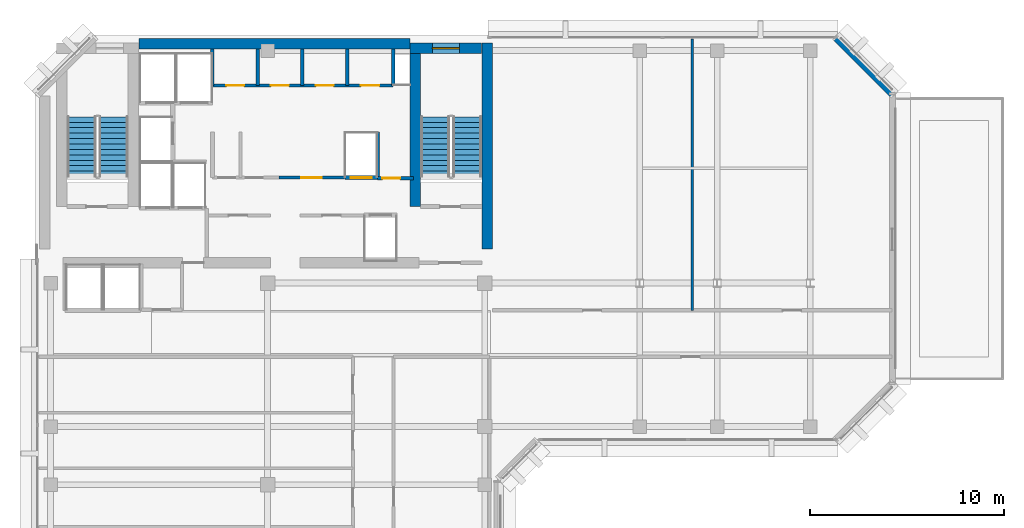
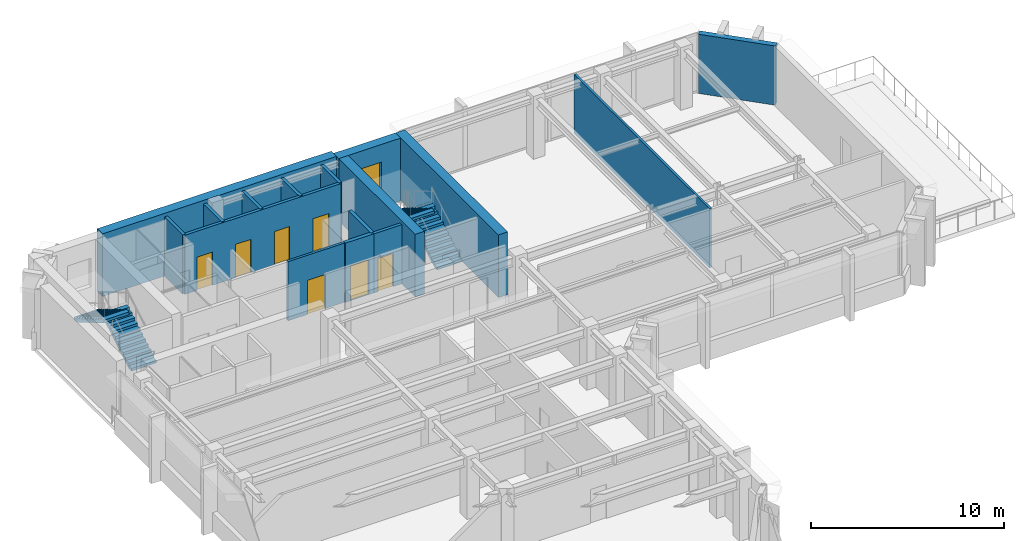
# One storey, part 7 of 11: 16 walls, 7 doors, 4 stair flights, 1 window, 8 openings, 2 elements without a shape of their own.
"""IFC4 building model written with IfcOpenShell, lengths in metres."""

from ifc_helpers import new_model, si_unit, direction, frame, frame_2d, origin, place, context, subcontext, project, spatial, polyline, rectangle, outline, extrude, material, layer, layer_set, type_object, element, fill, aggregate, save


model = new_model("IFC4")

# Units and contexts
model_context = context("Model", 3, precision=1e-05, world=origin(), true_north=direction((0.0, 1.0)))
body_context = subcontext(model_context, "Body", "Model", "MODEL_VIEW")
ifc_project = project(units=[si_unit("LENGTHUNIT", "METRE"), si_unit("AREAUNIT", "SQUARE_METRE"), si_unit("VOLUMEUNIT", "CUBIC_METRE"), si_unit("PLANEANGLEUNIT", "RADIAN"), si_unit("MASSUNIT", "GRAM", prefix="KILO")], contexts=[model_context])

# Site, building, storey
site_placement = place(None, origin())
site = spatial("IfcSite", under=ifc_project, at=site_placement, CompositionType="ELEMENT")
building_placement = place(site_placement, origin())
building = spatial("IfcBuilding", under=site, at=building_placement, Name="Kefirva Bronze Tower", CompositionType="ELEMENT")
storey_placement = place(building_placement, frame((0.0, 0.0, 272.25)))
storey = spatial("IfcBuildingStorey", under=building, at=storey_placement, Name="L66", CompositionType="ELEMENT", Elevation=272.25)

# Wall
ifc_material_1 = material(Name="Gypsum acoustic partition")
ifc_layer_1 = layer(ifc_material_1, 0.1298828125, Name="Gypsum acoustic partition")
ifc_layer_set_1 = layer_set([ifc_layer_1], Name="Gypsum acoustic partition")
wall_type_1 = type_object("IfcWallType", Name="Acoustic Office Partition 130mm", PredefinedType="PARTITIONING", material=ifc_layer_set_1)
wall_1_placement = place(storey_placement, frame((33.905029296875, 31.800048828125, 0.0), z_axis=(0.0, 0.0, 1.0), x_axis=(0.0, 1.0, 0.0)))
element("IfcWall", 1, at=wall_1_placement, inside=storey, type_object=wall_type_1, Name="L66 Partition W-L66-END1", PredefinedType="PARTITIONING", context=body_context, shape_type="SweptSolid", body=[
    extrude(rectangle(XDim=14.010009765625, YDim=0.1298828125, at=frame_2d((7.0048828125, 0.0))), origin(), (0.0, 0.0, 1.0), 3.739990234375),
])

# Wall, opening, door
ifc_layer_2 = layer(ifc_material_1, 0.14990234375, Name="Gypsum acoustic partition")
ifc_layer_set_2 = layer_set([ifc_layer_2], Name="Gypsum acoustic partition")
wall_type_2 = type_object("IfcWallType", Name="Executive Suite Partition 150mm", PredefinedType="PARTITIONING", material=ifc_layer_set_2)
wall_2_placement = place(storey_placement, frame((12.580078125, 38.64990234375, 0.0), z_axis=(0.0, 0.0, 1.0), x_axis=(1.0, 0.0, 0.0)))
wall_2 = element("IfcWall", 2, at=wall_2_placement, inside=storey, type_object=wall_type_2, Name="L66 Partition W-L66-RECMP2", PredefinedType="PARTITIONING", context=body_context, shape_type="SweptSolid", body=[
    extrude(rectangle(XDim=3.3798828125, YDim=0.14990234375, at=frame_2d((1.68994140625, 0.0))), origin(), (0.0, 0.0, 1.0), 3.739990234375),
])
opening_1_placement = place(wall_2_placement, frame((2.199951171875, 0.0, 0.0), z_axis=(0.0, 0.0, 1.0), x_axis=(-1.0, 0.0, 0.0)))
opening_1 = element("IfcOpeningElement", 3, at=opening_1_placement, cuts=wall_2, Name="Opening L66-D-RECMP2", PredefinedType="OPENING", context=body_context, shape_type="SweptSolid", body=[
    extrude(rectangle(XDim=1.050048828125, YDim=2.14990234375, at=frame_2d((0.52490234375, 1.074951171875))), frame((0.0, 0.0849609375, 0.0), z_axis=(0.0, -1.0, 0.0), x_axis=(1.0, 0.0, 0.0)), (0.0, 0.0, 1.0), 0.169921875),
])
ifc_material_2 = material(Name="Acoustic hardwood oak", Category="wood")
door_type_1 = type_object("IfcDoorType", Name="Executive & Boardroom Door 1050x2150", OperationType="NOTDEFINED", PredefinedType="DOOR", material=ifc_material_2)
door_1_placement = place(opening_1_placement, origin())
door_1 = element("IfcDoor", 4, at=door_1_placement, inside=storey, type_object=door_type_1, Name="Door L66-D-RECMP2", OperationType="SINGLE_SWING_RIGHT", OverallHeight=2.14990234375, OverallWidth=1.050048828125, PredefinedType="DOOR", context=body_context, shape_type="SweptSolid", body=[
    extrude(rectangle(XDim=1.050048828125, YDim=2.14990234375, at=frame_2d((0.52490234375, 1.074951171875))), frame((0.0, 0.02490234375, 0.0), z_axis=(0.0, -1.0, 0.0), x_axis=(1.0, 0.0, 0.0)), (0.0, 0.0, 1.0), 0.050048828125),
])
fill(opening_1, door_1)

# Wall
ifc_material_3 = material(Name="Gypsum fireboard shaftwall")
ifc_layer_3 = layer(ifc_material_3, 0.219970703125, Name="Gypsum fireboard shaftwall")
ifc_layer_set_3 = layer_set([ifc_layer_3], Name="Gypsum fireboard shaftwall")
wall_type_3 = type_object("IfcWallType", Name="Fire-Rated Shaft Enclosure Wall 220mm", PredefinedType="PARTITIONING", material=ifc_layer_set_3)
wall_3_placement = place(storey_placement, frame((17.679931640625, 38.64990234375, 0.0), z_axis=(0.0, 0.0, 1.0), x_axis=(0.0, 1.0, 0.0)))
element("IfcWall", 5, at=wall_3_placement, inside=storey, type_object=wall_type_3, Name="L66 Partition W-L66-HP2E", PredefinedType="PARTITIONING", context=body_context, shape_type="SweptSolid", body=[
    extrude(rectangle(XDim=2.35009765625, YDim=0.199951171875, at=frame_2d((1.175048828125, 0.0))), origin(), (0.0, 0.0, 1.0), 3.739990234375),
])

# Wall, opening, door
wall_4_placement = place(storey_placement, frame((15.97998046875, 38.64990234375, 0.0), z_axis=(0.0, 0.0, 1.0), x_axis=(1.0, 0.0, 0.0)))
wall_4 = element("IfcWall", 6, at=wall_4_placement, inside=storey, type_object=wall_type_3, Name="L66 Partition W-L66-HPN", PredefinedType="PARTITIONING", context=body_context, shape_type="SweptSolid", body=[
    extrude(rectangle(XDim=1.719970703125, YDim=0.219970703125, at=frame_2d((0.85986328125, 0.0))), origin(), (0.0, 0.0, 1.0), 3.739990234375),
])
opening_2_placement = place(wall_4_placement, frame((0.300048828125, 0.0, 0.0)))
opening_2 = element("IfcOpeningElement", 7, at=opening_2_placement, cuts=wall_4, Name="Opening L66-LD-HP2", PredefinedType="OPENING", context=body_context, shape_type="SweptSolid", body=[
    extrude(rectangle(XDim=1.10009765625, YDim=2.199951171875, at=frame_2d((0.550048828125, 1.10009765625))), frame((0.0, 0.1201171875, 0.0), z_axis=(0.0, -1.0, 0.0), x_axis=(1.0, 0.0, 0.0)), (0.0, 0.0, 1.0), 0.239990234375),
])
ifc_material_4 = material(Name="Stainless steel 316", Category="steel")
door_type_2 = type_object("IfcDoorType", Name="Passenger Lift Sliding Landing Door 1100x2200", OperationType="SLIDING_TO_LEFT", PredefinedType="DOOR", material=ifc_material_4)
door_2_placement = place(opening_2_placement, origin())
door_2 = element("IfcDoor", 8, at=door_2_placement, inside=storey, type_object=door_type_2, Name="Door L66-LD-HP2", OperationType="SLIDING_TO_LEFT", OverallHeight=2.199951171875, OverallWidth=1.10009765625, PredefinedType="DOOR", context=body_context, shape_type="SweptSolid", body=[
    extrude(rectangle(XDim=1.10009765625, YDim=2.199951171875, at=frame_2d((0.550048828125, 1.10009765625))), frame((0.0, 0.02490234375, 0.0), z_axis=(0.0, -1.0, 0.0), x_axis=(1.0, 0.0, 0.0)), (0.0, 0.0, 1.0), 0.050048828125),
])
fill(opening_2, door_2)

ifc_material_5 = material(Name="Gypsum fireboard barrier")
ifc_layer_4 = layer(ifc_material_5, 0.199951171875, Name="Gypsum fireboard barrier")
ifc_layer_set_4 = layer_set([ifc_layer_4], Name="Gypsum fireboard barrier")
wall_type_4 = type_object("IfcWallType", Name="Firefighting Lobby Barrier Wall 200mm", PredefinedType="PARTITIONING", material=ifc_layer_set_4)
wall_5_placement = place(storey_placement, frame((17.679931640625, 38.6201171875, 0.0), z_axis=(0.0, 0.0, 1.0), x_axis=(1.0, 0.0, 0.0)))
wall_5 = element("IfcWall", 9, at=wall_5_placement, inside=storey, type_object=wall_type_4, Name="L66 Partition W-L66-CPASS", PredefinedType="PARTITIONING", context=body_context, shape_type="SweptSolid", body=[
    extrude(rectangle(XDim=1.840087890625, YDim=0.179931640625, at=frame_2d((0.919921875, 0.0))), origin(), (0.0, 0.0, 1.0), 3.739990234375),
])
opening_3_placement = place(wall_5_placement, frame((0.239990234375, 0.0, 0.0)))
opening_3 = element("IfcOpeningElement", 10, at=opening_3_placement, cuts=wall_5, Name="Opening L66-D-CPAS", PredefinedType="OPENING", context=body_context, shape_type="SweptSolid", body=[
    extrude(rectangle(XDim=0.919921875, YDim=2.10009765625, at=frame_2d((0.4599609375, 1.050048828125))), frame((0.0, 0.10009765625, 0.0), z_axis=(0.0, -1.0, 0.0), x_axis=(1.0, 0.0, 0.0)), (0.0, 0.0, 1.0), 0.199951171875),
])
ifc_material_6 = material(Name="Moisture-resistant timber", Category="wood")
door_type_3 = type_object("IfcDoorType", Name="Accessible Sanitary & WC Door 920x2100", OperationType="NOTDEFINED", PredefinedType="DOOR", material=ifc_material_6)
door_3_placement = place(opening_3_placement, origin())
door_3 = element("IfcDoor", 11, at=door_3_placement, inside=storey, type_object=door_type_3, Name="Door L66-D-CPAS", OperationType="SINGLE_SWING_RIGHT", OverallHeight=2.10009765625, OverallWidth=0.919921875, PredefinedType="DOOR", context=body_context, shape_type="SweptSolid", body=[
    extrude(rectangle(XDim=0.919921875, YDim=2.10009765625, at=frame_2d((0.4599609375, 1.050048828125))), frame((0.0, 0.02490234375, 0.0), z_axis=(0.0, -1.0, 0.0), x_axis=(1.0, 0.0, 0.0)), (0.0, 0.0, 1.0), 0.050048828125),
])
fill(opening_3, door_3)

# Walls
ifc_material_7 = material(Name="Precast concrete C40/50", Category="concrete")
ifc_layer_5 = layer(ifc_material_7, 0.320068359375, Name="Precast concrete C40/50")
ifc_layer_set_5 = layer_set([ifc_layer_5], Name="Precast concrete C40/50")
wall_type_5 = type_object("IfcWallType", Name="Precast Insulated Exterior Wall 320mm", PredefinedType="SOLIDWALL", material=ifc_layer_set_5)
wall_6_placement = place(storey_placement, frame((44.248046875, 42.92578125, 0.0), z_axis=(0.0, 0.0, 1.0), x_axis=(-0.707136318428, 0.707077242712, 0.0)))
element("IfcWall", 12, at=wall_6_placement, inside=storey, type_object=wall_type_5, Name="L66 Exterior Facade Wall 6", PredefinedType="SOLIDWALL", context=body_context, shape_type="SweptSolid", body=[
    extrude(rectangle(XDim=4.132568359375, YDim=0.320068359375, at=frame_2d((2.06640625, 0.0))), origin(), (0.0, 0.0, 1.0), 3.739990234375),
])
ifc_material_8 = material(Name="Concrete C50/60", Category="concrete")
ifc_layer_6 = layer(ifc_material_8, 0.550048828125, Name="Concrete C50/60")
ifc_layer_set_6 = layer_set([ifc_layer_6], Name="Concrete C50/60")
wall_type_6 = type_object("IfcWallType", Name="RC Rear Core Exterior Wall 550mm", PredefinedType="SHEAR", material=ifc_layer_set_6)
wall_7_placement = place(storey_placement, frame((5.360107421875, 45.550048828125, 0.0), z_axis=(0.0, 0.0, 1.0), x_axis=(1.0, 0.0, 0.0)))
element("IfcWall", 13, at=wall_7_placement, inside=storey, type_object=wall_type_6, Name="L66 Rear Core North Shear Wall", PredefinedType="SHEAR", context=body_context, shape_type="SweptSolid", body=[
    extrude(rectangle(XDim=13.97998046875, YDim=0.550048828125, at=frame_2d((6.989990234375, 0.0))), origin(), (0.0, 0.0, 1.0), 3.9599609375),
])

# Wall, opening, window
wall_8_placement = place(storey_placement, frame((19.35009765625, 45.320068359375, 0.0), z_axis=(0.0, 0.0, 1.0), x_axis=(1.0, 0.0, 0.0)))
wall_8 = element("IfcWall", 14, at=wall_8_placement, inside=storey, type_object=wall_type_6, Name="L66 Stair 2 North Shear Wall", PredefinedType="SHEAR", context=body_context, shape_type="SweptSolid", body=[
    extrude(rectangle(XDim=3.68994140625, YDim=0.550048828125, at=frame_2d((1.844970703125, 0.0))), origin(), (0.0, 0.0, 1.0), 3.9599609375),
])
opening_4_placement = place(wall_8_placement, frame((1.14990234375, 0.0, 1.050048828125)))
opening_4 = element("IfcOpeningElement", 15, at=opening_4_placement, cuts=wall_8, Name="Opening WN-03", PredefinedType="OPENING", context=body_context, shape_type="SweptSolid", body=[
    extrude(rectangle(XDim=1.39990234375, YDim=1.800048828125, at=frame_2d((0.699951171875, 0.89990234375))), frame((0.0, 0.28515625, 0.0), z_axis=(0.0, -1.0, 0.0), x_axis=(1.0, 0.0, 0.0)), (0.0, 0.0, 1.0), 0.570068359375),
])
ifc_material_9 = material(Name="Laminated low-E double glazing", Category="glass")
window_type = type_object("IfcWindowType", Name="Rear-Core Stair Daylight Window 1400x1800", PartitioningType="SINGLE_PANEL", PredefinedType="WINDOW", material=ifc_material_9)
window_placement = place(opening_4_placement, origin())
window = element("IfcWindow", 16, at=window_placement, inside=storey, type_object=window_type, Name="L66 Stair 2 Daylight Window", OverallHeight=1.800048828125, OverallWidth=1.39990234375, PartitioningType="SINGLE_PANEL", PredefinedType="WINDOW", context=body_context, shape_type="SweptSolid", body=[
    extrude(rectangle(XDim=1.39990234375, YDim=1.800048828125, at=frame_2d((0.699951171875, 0.89990234375))), frame((0.0, 0.030029296875, 0.0), z_axis=(0.0, -1.0, 0.0), x_axis=(1.0, 0.0, 0.0)), (0.0, 0.0, 1.0), 0.06005859375),
])
fill(opening_4, window)

# Walls
ifc_layer_7 = layer(ifc_material_8, 0.550048828125, Name="Concrete C50/60")
ifc_layer_set_7 = layer_set([ifc_layer_7], Name="Concrete C50/60")
wall_type_7 = type_object("IfcWallType", Name="RC Rear Core Interior Wall 550mm", PredefinedType="SHEAR", material=ifc_layer_set_7)
wall_9_placement = place(storey_placement, frame((23.324951171875, 34.949951171875, 0.0), z_axis=(0.0, 0.0, 1.0), x_axis=(0.0, 1.0, 0.0)))
element("IfcWall", 17, at=wall_9_placement, inside=storey, type_object=wall_type_7, Name="L66 Rear Core East Shear Wall", PredefinedType="SHEAR", context=body_context, shape_type="SweptSolid", body=[
    extrude(rectangle(XDim=10.64013671875, YDim=0.550048828125, at=frame_2d((5.320068359375, 0.0))), origin(), (0.0, 0.0, 1.0), 3.9599609375),
])
wall_10_placement = place(storey_placement, frame((19.6201171875, 37.14990234375, 0.0), z_axis=(0.0, 0.0, 1.0), x_axis=(0.0, 1.0, 0.0)))
element("IfcWall", 18, at=wall_10_placement, inside=storey, type_object=wall_type_7, Name="L66 Stair 2 West Shear Wall", PredefinedType="SHEAR", context=body_context, shape_type="SweptSolid", body=[
    extrude(rectangle(XDim=7.89013671875, YDim=0.550048828125, at=frame_2d((3.945068359375, 0.0))), origin(), (0.0, 0.0, 1.0), 3.9599609375),
])

# Wall, openings, doors
ifc_material_10 = material(Name="Moisture-resistant partition")
ifc_layer_8 = layer(ifc_material_10, 0.179931640625, Name="Moisture-resistant partition")
ifc_layer_set_8 = layer_set([ifc_layer_8], Name="Moisture-resistant partition")
wall_type_8 = type_object("IfcWallType", Name="Sanitary Plumbing Chase Wall 180mm", PredefinedType="PLUMBINGWALL", material=ifc_layer_set_8)
wall_11_placement = place(storey_placement, frame((9.14990234375, 43.39990234375, 0.0), z_axis=(0.0, 0.0, 1.0), x_axis=(1.0, 0.0, 0.0)))
wall_11 = element("IfcWall", 19, at=wall_11_placement, inside=storey, type_object=wall_type_8, Name="L66 Partition W-L66-SVCS", PredefinedType="PLUMBINGWALL", context=body_context, shape_type="SweptSolid", body=[
    extrude(rectangle(XDim=9.330078125, YDim=0.179931640625, at=frame_2d((4.6650390625, 0.0))), origin(), (0.0, 0.0, 1.0), 3.739990234375),
])
opening_5_placement = place(wall_11_placement, frame((0.719970703125, 0.0, 0.0)))
opening_5 = element("IfcOpeningElement", 20, at=opening_5_placement, cuts=wall_11, Name="Opening L66-D-CSVC1", PredefinedType="OPENING", context=body_context, shape_type="SweptSolid", body=[
    extrude(rectangle(XDim=0.919921875, YDim=2.10009765625, at=frame_2d((0.4599609375, 1.050048828125))), frame((0.0, 0.10009765625, 0.0), z_axis=(0.0, -1.0, 0.0), x_axis=(1.0, 0.0, 0.0)), (0.0, 0.0, 1.0), 0.199951171875),
])
opening_6_placement = place(wall_11_placement, frame((3.02001953125, 0.0, 0.0)))
opening_6 = element("IfcOpeningElement", 21, at=opening_6_placement, cuts=wall_11, Name="Opening L66-D-CSVC2", PredefinedType="OPENING", context=body_context, shape_type="SweptSolid", body=[
    extrude(rectangle(XDim=0.919921875, YDim=2.10009765625, at=frame_2d((0.4599609375, 1.050048828125))), frame((0.0, 0.10009765625, 0.0), z_axis=(0.0, -1.0, 0.0), x_axis=(1.0, 0.0, 0.0)), (0.0, 0.0, 1.0), 0.199951171875),
])
opening_7_placement = place(wall_11_placement, frame((5.340087890625, 0.0, 0.0)))
opening_7 = element("IfcOpeningElement", 22, at=opening_7_placement, cuts=wall_11, Name="Opening L66-D-CSVC3", PredefinedType="OPENING", context=body_context, shape_type="SweptSolid", body=[
    extrude(rectangle(XDim=0.919921875, YDim=2.10009765625, at=frame_2d((0.4599609375, 1.050048828125))), frame((0.0, 0.10009765625, 0.0), z_axis=(0.0, -1.0, 0.0), x_axis=(1.0, 0.0, 0.0)), (0.0, 0.0, 1.0), 0.199951171875),
])
opening_8_placement = place(wall_11_placement, frame((7.659912109375, 0.0, 0.0)))
opening_8 = element("IfcOpeningElement", 23, at=opening_8_placement, cuts=wall_11, Name="Opening L66-D-CSVC4", PredefinedType="OPENING", context=body_context, shape_type="SweptSolid", body=[
    extrude(rectangle(XDim=0.949951171875, YDim=2.10009765625, at=frame_2d((0.47509765625, 1.050048828125))), frame((0.0, 0.10009765625, 0.0), z_axis=(0.0, -1.0, 0.0), x_axis=(1.0, 0.0, 0.0)), (0.0, 0.0, 1.0), 0.199951171875),
])
door_4_placement = place(opening_5_placement, origin())
door_4 = element("IfcDoor", 24, at=door_4_placement, inside=storey, type_object=door_type_3, Name="Door L66-D-CSVC1", OperationType="SINGLE_SWING_LEFT", OverallHeight=2.10009765625, OverallWidth=0.919921875, PredefinedType="DOOR", context=body_context, shape_type="SweptSolid", body=[
    extrude(rectangle(XDim=0.919921875, YDim=2.10009765625, at=frame_2d((0.4599609375, 1.050048828125))), frame((0.0, 0.02490234375, 0.0), z_axis=(0.0, -1.0, 0.0), x_axis=(1.0, 0.0, 0.0)), (0.0, 0.0, 1.0), 0.050048828125),
])
fill(opening_5, door_4)
door_5_placement = place(opening_6_placement, origin())
door_5 = element("IfcDoor", 25, at=door_5_placement, inside=storey, type_object=door_type_3, Name="Door L66-D-CSVC2", OperationType="SINGLE_SWING_RIGHT", OverallHeight=2.10009765625, OverallWidth=0.919921875, PredefinedType="DOOR", context=body_context, shape_type="SweptSolid", body=[
    extrude(rectangle(XDim=0.919921875, YDim=2.10009765625, at=frame_2d((0.4599609375, 1.050048828125))), frame((0.0, 0.02490234375, 0.0), z_axis=(0.0, -1.0, 0.0), x_axis=(1.0, 0.0, 0.0)), (0.0, 0.0, 1.0), 0.050048828125),
])
fill(opening_6, door_5)
door_6_placement = place(opening_7_placement, origin())
door_6 = element("IfcDoor", 26, at=door_6_placement, inside=storey, type_object=door_type_3, Name="Door L66-D-CSVC3", OperationType="SINGLE_SWING_LEFT", OverallHeight=2.10009765625, OverallWidth=0.919921875, PredefinedType="DOOR", context=body_context, shape_type="SweptSolid", body=[
    extrude(rectangle(XDim=0.919921875, YDim=2.10009765625, at=frame_2d((0.4599609375, 1.050048828125))), frame((0.0, 0.02490234375, 0.0), z_axis=(0.0, -1.0, 0.0), x_axis=(1.0, 0.0, 0.0)), (0.0, 0.0, 1.0), 0.050048828125),
])
fill(opening_7, door_6)
ifc_material_11 = material(Name="Painted galvanized steel", Category="steel")
door_type_4 = type_object("IfcDoorType", Name="Riser & Plant Shaft Fire Door 950x2100 FD60S", OperationType="NOTDEFINED", PredefinedType="DOOR", material=ifc_material_11)
door_7_placement = place(opening_8_placement, origin())
door_7 = element("IfcDoor", 27, at=door_7_placement, inside=storey, type_object=door_type_4, Name="Door L66-D-CSVC4", OperationType="SINGLE_SWING_RIGHT", OverallHeight=2.10009765625, OverallWidth=0.949951171875, PredefinedType="DOOR", context=body_context, shape_type="SweptSolid", body=[
    extrude(rectangle(XDim=0.949951171875, YDim=2.10009765625, at=frame_2d((0.47509765625, 1.050048828125))), frame((0.0, 0.02490234375, 0.0), z_axis=(0.0, -1.0, 0.0), x_axis=(1.0, 0.0, 0.0)), (0.0, 0.0, 1.0), 0.050048828125),
])
fill(opening_8, door_7)

# Walls
for number, where, z_axis, x_axis, name in (
    (28, (9.14990234375, 43.39990234375, 0.0), (0.0, 0.0, 1.0), (0.0, 1.0, 0.0), "L66 Partition W-L66-SVCW"),
    (29, (18.47998046875, 43.39990234375, 0.0), (0.0, 0.0, 1.0), (0.0, 1.0, 0.0), "L66 Partition W-L66-SVCE"),
    (30, (11.47998046875, 43.39990234375, 0.0), (0.0, 0.0, 1.0), (0.0, 1.0, 0.0), "L66 Partition W-L66-CSVD-1"),
    (31, (13.780029296875, 43.39990234375, 0.0), (0.0, 0.0, 1.0), (0.0, 1.0, 0.0), "L66 Partition W-L66-CSVD-2"),
    (32, (16.1201171875, 43.39990234375, 0.0), (0.0, 0.0, 1.0), (0.0, 1.0, 0.0), "L66 Partition W-L66-CSVD-3"),
):
    element("IfcWall", number, at=place(storey_placement, frame(where, z_axis=z_axis, x_axis=x_axis)), inside=storey, type_object=wall_type_8, Name=name, PredefinedType="PLUMBINGWALL", context=body_context, shape_type="SweptSolid", body=[
        extrude(rectangle(XDim=1.880126953125, YDim=0.179931640625, at=frame_2d((0.93994140625, 0.0))), origin(), (0.0, 0.0, 1.0), 3.739990234375),
    ])

# Stair, stair flights
ifc_material_12 = material(Name="Concrete C40/50", Category="concrete")
stair_type = type_object("IfcStairType", Name="RC Dogleg Protected Stair 24R", PredefinedType="HALF_TURN_STAIR", material=ifc_material_12)
stair_1_placement = place(storey_placement, origin())
stair_1 = element("IfcStair", 33, at=stair_1_placement, inside=storey, type_object=stair_type, Name="L66 Protected Exit Stair 1", PredefinedType="HALF_TURN_STAIR")
stair_flight_type = type_object("IfcStairFlightType", Name="RC Straight Stair Flight 24R", PredefinedType="STRAIGHT", material=ifc_material_12)
stair_flight_1_placement = place(storey_placement, frame((4.050048828125, 38.699951171875, 0.0), z_axis=(0.0, 0.0, 1.0), x_axis=(0.0, 1.0, 0.0)))
stair_flight_1 = element("IfcStairFlight", 34, at=stair_flight_1_placement, type_object=stair_flight_type, Name="ST-1 flight 1", NumberOfRisers=12, NumberOfTreads=11, PredefinedType="STRAIGHT", RiserHeight=0.165, TreadLength=0.28, context=body_context, shape_type="SweptSolid", body=[
    extrude(outline(polyline([(0.0, 0.0), (0.0, 0.1650390625), (0.280029296875, 0.1650390625), (0.280029296875, 0.330078125), (0.56005859375, 0.330078125), (0.56005859375, 0.4951171875), (0.840087890625, 0.4951171875), (0.840087890625, 0.659912109375), (1.1201171875, 0.659912109375), (1.1201171875, 0.824951171875), (1.39990234375, 0.824951171875), (1.39990234375, 0.989990234375), (1.679931640625, 0.989990234375), (1.679931640625, 1.155029296875), (1.9599609375, 1.155029296875), (1.9599609375, 1.320068359375), (2.239990234375, 1.320068359375), (2.239990234375, 1.485107421875), (2.52001953125, 1.485107421875), (2.52001953125, 1.64990234375), (2.800048828125, 1.64990234375), (2.800048828125, 1.81494140625), (3.080078125, 1.81494140625), (3.080078125, 1.97998046875), (3.080078125, 1.64111328125), (0.295166015625, 0.0), (0.0, 0.0)])), frame((0.0, 0.75, 0.0), z_axis=(0.0, -1.0, 0.0), x_axis=(1.0, 0.0, 0.0)), (0.0, 0.0, 1.0), 1.5),
])
stair_flight_2_placement = place(storey_placement, frame((2.39990234375, 41.780029296875, 1.97998046875), z_axis=(0.0, 0.0, 1.0), x_axis=(0.0, -1.0, 0.0)))
stair_flight_2 = element("IfcStairFlight", 35, at=stair_flight_2_placement, type_object=stair_flight_type, Name="ST-1 flight 2", NumberOfRisers=12, NumberOfTreads=11, PredefinedType="STRAIGHT", RiserHeight=0.165, TreadLength=0.28, context=body_context, shape_type="SweptSolid", body=[
    extrude(outline(polyline([(0.0, 0.0), (0.0, 0.1650390625), (0.280029296875, 0.1650390625), (0.280029296875, 0.330078125), (0.56005859375, 0.330078125), (0.56005859375, 0.4951171875), (0.840087890625, 0.4951171875), (0.840087890625, 0.659912109375), (1.1201171875, 0.659912109375), (1.1201171875, 0.824951171875), (1.39990234375, 0.824951171875), (1.39990234375, 0.989990234375), (1.679931640625, 0.989990234375), (1.679931640625, 1.155029296875), (1.9599609375, 1.155029296875), (1.9599609375, 1.320068359375), (2.239990234375, 1.320068359375), (2.239990234375, 1.485107421875), (2.52001953125, 1.485107421875), (2.52001953125, 1.64990234375), (2.800048828125, 1.64990234375), (2.800048828125, 1.81494140625), (3.080078125, 1.81494140625), (3.080078125, 1.97998046875), (3.080078125, 1.64111328125), (0.295166015625, 0.0), (0.0, 0.0)])), frame((0.0, 0.75, 0.0), z_axis=(0.0, -1.0, 0.0), x_axis=(1.0, 0.0, 0.0)), (0.0, 0.0, 1.0), 1.5),
])
aggregate(stair_1, [stair_flight_1, stair_flight_2])

stair_2_placement = place(storey_placement, origin())
stair_2 = element("IfcStair", 36, at=stair_2_placement, inside=storey, type_object=stair_type, Name="L66 Protected Exit Stair 2", PredefinedType="HALF_TURN_STAIR")
stair_flight_3_placement = place(storey_placement, frame((22.300048828125, 38.699951171875, 0.0), z_axis=(0.0, 0.0, 1.0), x_axis=(0.0, 1.0, 0.0)))
stair_flight_3 = element("IfcStairFlight", 37, at=stair_flight_3_placement, type_object=stair_flight_type, Name="ST-2 flight 1", NumberOfRisers=12, NumberOfTreads=11, PredefinedType="STRAIGHT", RiserHeight=0.165, TreadLength=0.28, context=body_context, shape_type="SweptSolid", body=[
    extrude(outline(polyline([(0.0, 0.0), (0.0, 0.1650390625), (0.280029296875, 0.1650390625), (0.280029296875, 0.330078125), (0.56005859375, 0.330078125), (0.56005859375, 0.4951171875), (0.840087890625, 0.4951171875), (0.840087890625, 0.659912109375), (1.1201171875, 0.659912109375), (1.1201171875, 0.824951171875), (1.39990234375, 0.824951171875), (1.39990234375, 0.989990234375), (1.679931640625, 0.989990234375), (1.679931640625, 1.155029296875), (1.9599609375, 1.155029296875), (1.9599609375, 1.320068359375), (2.239990234375, 1.320068359375), (2.239990234375, 1.485107421875), (2.52001953125, 1.485107421875), (2.52001953125, 1.64990234375), (2.800048828125, 1.64990234375), (2.800048828125, 1.81494140625), (3.080078125, 1.81494140625), (3.080078125, 1.97998046875), (3.080078125, 1.64111328125), (0.295166015625, 0.0), (0.0, 0.0)])), frame((0.0, 0.75, 0.0), z_axis=(0.0, -1.0, 0.0), x_axis=(1.0, 0.0, 0.0)), (0.0, 0.0, 1.0), 1.5),
])
stair_flight_4_placement = place(storey_placement, frame((20.64990234375, 41.780029296875, 1.97998046875), z_axis=(0.0, 0.0, 1.0), x_axis=(0.0, -1.0, 0.0)))
stair_flight_4 = element("IfcStairFlight", 38, at=stair_flight_4_placement, type_object=stair_flight_type, Name="ST-2 flight 2", NumberOfRisers=12, NumberOfTreads=11, PredefinedType="STRAIGHT", RiserHeight=0.165, TreadLength=0.28, context=body_context, shape_type="SweptSolid", body=[
    extrude(outline(polyline([(0.0, 0.0), (0.0, 0.1650390625), (0.280029296875, 0.1650390625), (0.280029296875, 0.330078125), (0.56005859375, 0.330078125), (0.56005859375, 0.4951171875), (0.840087890625, 0.4951171875), (0.840087890625, 0.659912109375), (1.1201171875, 0.659912109375), (1.1201171875, 0.824951171875), (1.39990234375, 0.824951171875), (1.39990234375, 0.989990234375), (1.679931640625, 0.989990234375), (1.679931640625, 1.155029296875), (1.9599609375, 1.155029296875), (1.9599609375, 1.320068359375), (2.239990234375, 1.320068359375), (2.239990234375, 1.485107421875), (2.52001953125, 1.485107421875), (2.52001953125, 1.64990234375), (2.800048828125, 1.64990234375), (2.800048828125, 1.81494140625), (3.080078125, 1.81494140625), (3.080078125, 1.97998046875), (3.080078125, 1.64111328125), (0.295166015625, 0.0), (0.0, 0.0)])), frame((0.0, 0.75, 0.0), z_axis=(0.0, -1.0, 0.0), x_axis=(1.0, 0.0, 0.0)), (0.0, 0.0, 1.0), 1.5),
])
aggregate(stair_2, [stair_flight_3, stair_flight_4])

save(model, "model.ifc")
